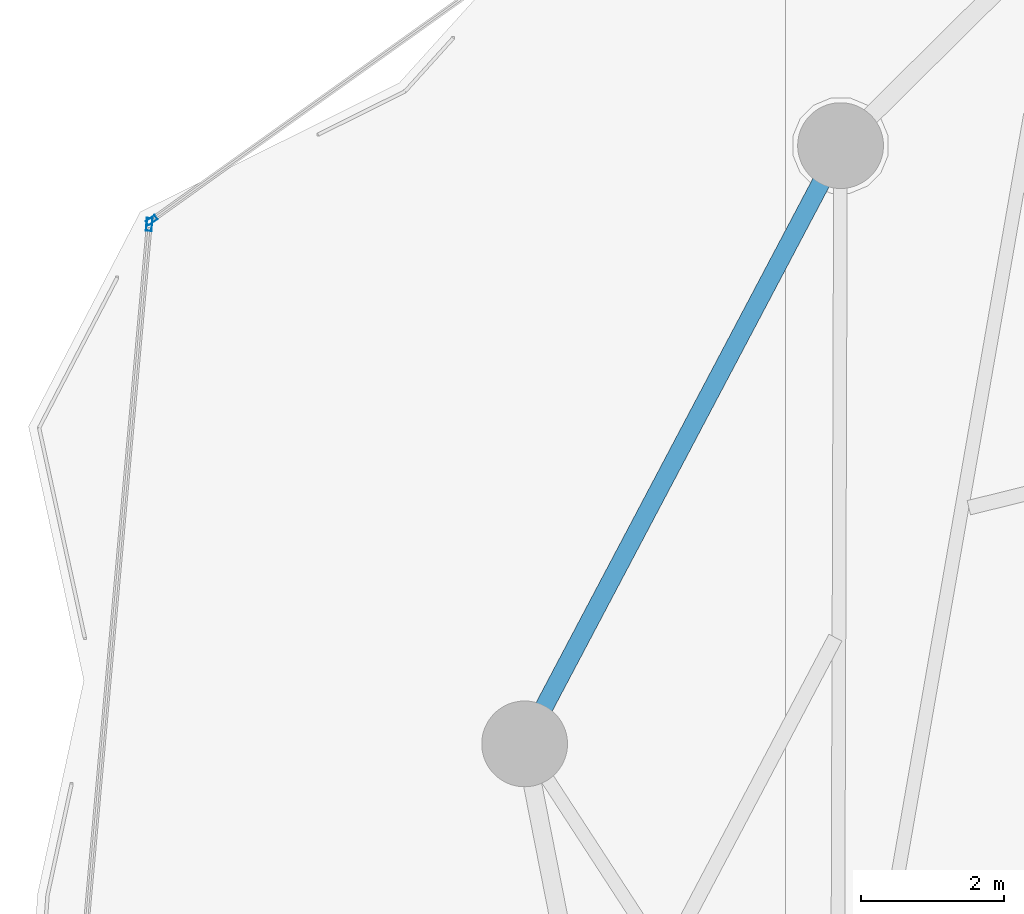
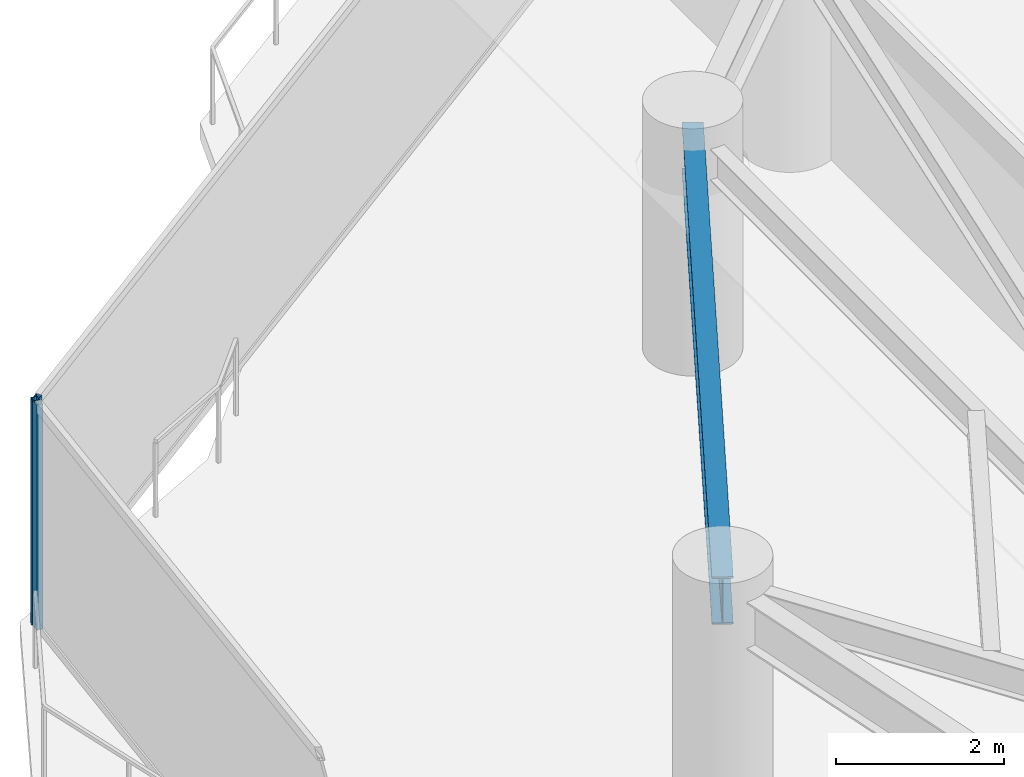
# One storey, part 17 of 33: 2 members, 1 beam, 2 elements without a shape of their own.
"""IFC4 building model written with IfcOpenShell, lengths in metres."""

import ifcopenshell
import ifcopenshell.guid

model = None  # the IFC model being written
_history = None  # IfcOwnerHistory: only IFC2X3 demands one
_inside = {}  # id of a spatial element -> (the spatial element, [elements in it])
_under = {}  # id of a project, library or spatial element -> (it, [spatial elements below it])
_declared = {}  # id of a project -> (the project, [libraries it declares])
_typed = {}  # id of a type object -> (the type object, [elements of that type])
_made_of = {}  # id of a material, layer set ... -> (it, [elements and type objects made of it])


def new_model(schema):
    """Start an empty IFC model of exactly this schema.

    Asked for "IFC4X3", IfcOpenShell would pick the latest addendum, in which some entities
    have other attributes; the version numbers below select the first issue.
    IFC2X3 requires an IfcOwnerHistory on every rooted entity: one is made here for all.
    """
    global model, _history
    if schema == "IFC4X3":
        model = ifcopenshell.file(schema_version=(4, 3, 0, 0))
    else:
        model = ifcopenshell.file(schema=schema)
    _inside.clear()
    _under.clear()
    _declared.clear()
    _typed.clear()
    _made_of.clear()
    _history = None
    if model.schema == "IFC2X3":
        org = make("IfcOrganization", Name="unknown")
        user = make(
            "IfcPersonAndOrganization",
            ThePerson=make("IfcPerson", FamilyName="unknown"),
            TheOrganization=org,
        )
        app = make(
            "IfcApplication",
            ApplicationDeveloper=org,
            Version="unknown",
            ApplicationFullName="unknown",
            ApplicationIdentifier="unknown",
        )
        _history = make(
            "IfcOwnerHistory",
            OwningUser=user,
            OwningApplication=app,
            ChangeAction="ADDED",
            CreationDate=0,
        )
    return model


def make(cls, **values):
    """One entity of the class cls with the attributes given. An attribute that is None is left unset."""
    return model.create_entity(
        cls, **{name: value for name, value in values.items() if value is not None}
    )


def rooted(cls, **values):
    """An entity with a GlobalId (a new one), such as an element, a storey or a relation."""
    return make(cls, GlobalId=ifcopenshell.guid.new(), OwnerHistory=_history, **values)


def si_unit(unit_type, name, prefix=None):
    """IfcSIUnit, for example si_unit("LENGTHUNIT", "METRE", prefix="MILLI")."""
    return make("IfcSIUnit", UnitType=unit_type, Prefix=prefix, Name=name)


def assignment(units):
    """IfcUnitAssignment: the units of a project."""
    return None if units is None else make("IfcUnitAssignment", Units=units)


def point(xyz):
    """IfcCartesianPoint."""
    return None if xyz is None else make("IfcCartesianPoint", Coordinates=xyz)


def direction(xyz):
    """IfcDirection."""
    return None if xyz is None else make("IfcDirection", DirectionRatios=xyz)


def frame(location, z_axis=None, x_axis=None):
    """IfcAxis2Placement3D, a coordinate frame: its origin and axes. An axis left out is left unset."""
    return make(
        "IfcAxis2Placement3D",
        Location=point(location),
        Axis=direction(z_axis),
        RefDirection=direction(x_axis),
    )


def frame_2d(location, x_axis=None):
    """IfcAxis2Placement2D, a coordinate frame in the plane: its origin and x axis."""
    return make(
        "IfcAxis2Placement2D", Location=point(location), RefDirection=direction(x_axis)
    )


def origin():
    """The frame at (0, 0, 0) with its axes left unset."""
    return frame((0.0, 0.0, 0.0))


def origin_2d():
    """The frame at (0, 0) in the plane with its x axis left unset."""
    return frame_2d((0.0, 0.0))


def place(relative_to, where):
    """IfcLocalPlacement: puts the frame where relative to a parent placement (None: the world)."""
    return make(
        "IfcLocalPlacement", PlacementRelTo=relative_to, RelativePlacement=where
    )


def context(
    kind, dimensions, precision=None, world=None, true_north=None, identifier=None
):
    """IfcGeometricRepresentationContext, for example the 3D "Model" context."""
    return make(
        "IfcGeometricRepresentationContext",
        ContextIdentifier=identifier,
        ContextType=kind,
        CoordinateSpaceDimension=dimensions,
        Precision=precision,
        WorldCoordinateSystem=world,
        TrueNorth=true_north,
    )


def subcontext(parent, identifier, kind, view, scale=None):
    """IfcGeometricRepresentationSubContext, for example "Body" below "Model"."""
    return make(
        "IfcGeometricRepresentationSubContext",
        ContextIdentifier=identifier,
        ContextType=kind,
        ParentContext=parent,
        TargetScale=scale,
        TargetView=view,
    )


def project(units=None, contexts=None):
    """IfcProject with its units and contexts."""
    return rooted(
        "IfcProject",
        Name="project",
        RepresentationContexts=contexts,
        UnitsInContext=assignment(units),
    )


def spatial(cls, under=None, at=None, **own):
    """A site, building, storey or space (cls), placed at a placement, below another one or the project."""
    s = rooted(cls, ObjectPlacement=at, **own)
    if under is not None:
        _under.setdefault(under.id(), (under, []))[1].append(s)
    return s


def profile(cls, at=None, kind="AREA", **sizes):
    """A parametric profile (cls). Its sizes go by their IFC names, for example OverallWidth=200.0."""
    return make(cls, ProfileType=kind, Position=at, **sizes)


def hollow_rectangle(**sizes):
    """IfcRectangleHollowProfileDef."""
    return profile("IfcRectangleHollowProfileDef", **sizes)


def i_section(**sizes):
    """IfcIShapeProfileDef."""
    return profile("IfcIShapeProfileDef", **sizes)


def extrude(swept, where, along, depth):
    """IfcExtrudedAreaSolid: the profile swept, set in the frame where, extruded along a direction by depth."""
    return make(
        "IfcExtrudedAreaSolid",
        SweptArea=swept,
        Position=where,
        ExtrudedDirection=direction(along),
        Depth=depth,
    )


def shape(context_of_items, identifier, shape_type, items):
    """IfcShapeRepresentation: the items that make up one representation, for example the "Body"."""
    return make(
        "IfcShapeRepresentation",
        ContextOfItems=context_of_items,
        RepresentationIdentifier=identifier,
        RepresentationType=shape_type,
        Items=items,
    )


def material(Name=None, Category=None):
    """IfcMaterial."""
    return make("IfcMaterial", Name=Name, Category=Category)


def layer(
    of_material, thickness, ventilated=None, Name=None, Category=None, Priority=None
):
    """IfcMaterialLayer: one layer of a wall or slab, of a material (None: an air gap)."""
    return make(
        "IfcMaterialLayer",
        Material=of_material,
        LayerThickness=thickness,
        IsVentilated=ventilated,
        Name=Name,
        Category=Category,
        Priority=Priority,
    )


def layer_set(layers, Name=None):
    """IfcMaterialLayerSet."""
    return make("IfcMaterialLayerSet", MaterialLayers=layers, LayerSetName=Name)


def material_profile(
    of_material, cross_section, Name=None, Category=None, Priority=None
):
    """IfcMaterialProfile: a cross section and its material."""
    return make(
        "IfcMaterialProfile",
        Name=Name,
        Material=of_material,
        Profile=cross_section,
        Priority=Priority,
        Category=Category,
    )


def profile_set(profiles, Name=None, composite=None):
    """IfcMaterialProfileSet."""
    return make(
        "IfcMaterialProfileSet",
        Name=Name,
        MaterialProfiles=profiles,
        CompositeProfile=composite,
    )


def made_of(thing, what):
    """Note that an element or type object is made of a material, layer set ...; save() writes the relation."""
    if what is not None:
        _made_of.setdefault(what.id(), (what, []))[1].append(thing)
    return thing


def type_object(cls, material=None, **own):
    """A type object (cls), such as IfcWallType, which elements share."""
    return made_of(rooted(cls, **own), material)


def element(
    cls,
    number,
    at=None,
    inside=None,
    cuts=None,
    type_object=None,
    material=None,
    context=None,
    identifier="Body",
    shape_type=None,
    held_by="IfcProductDefinitionShape",
    body=None,
    shapes=None,
    **own,
):
    """One element of the class cls, such as IfcWall. Its Tag is "e" and its number.

    at: its placement. inside: the storey or other place that contains it. cuts: it is an
    opening in that element (IfcRelVoidsElement). A single representation is given by context,
    identifier, shape_type and body (its items); several are given by shapes. held_by: the class
    of the entity that holds the representations. save() writes the other relations.
    """
    e = rooted(cls, Tag="e%d" % number, ObjectPlacement=at, **own)
    if body is not None:
        shapes = [shape(context, identifier, shape_type, body)]
    if shapes is not None:
        e.Representation = make(held_by, Representations=shapes)
    if inside is not None:
        _inside.setdefault(inside.id(), (inside, []))[1].append(e)
    if cuts is not None:
        rooted(
            "IfcRelVoidsElement", RelatingBuildingElement=cuts, RelatedOpeningElement=e
        )
    if type_object is not None:
        _typed.setdefault(type_object.id(), (type_object, []))[1].append(e)
    return made_of(e, material)


def aggregate(whole, parts):
    """IfcRelAggregates: a whole, such as a stair, and the parts it consists of."""
    return rooted("IfcRelAggregates", RelatingObject=whole, RelatedObjects=parts)


def save(model, path):
    """Write the relations noted so far, then the file.

    IfcRelAggregates (storeys below a building ...), IfcRelContainedInSpatialStructure (elements
    in a storey), IfcRelDefinesByType, IfcRelAssociatesMaterial and IfcRelDeclares: one each for
    every whole, place, type object, material and project.
    """
    for whole, parts in _under.values():
        aggregate(whole, parts)
    for where, things in _inside.values():
        rooted(
            "IfcRelContainedInSpatialStructure",
            RelatedElements=things,
            RelatingStructure=where,
        )
    for kind, things in _typed.values():
        rooted("IfcRelDefinesByType", RelatedObjects=things, RelatingType=kind)
    for what, things in _made_of.values():
        rooted("IfcRelAssociatesMaterial", RelatedObjects=things, RelatingMaterial=what)
    for by, libraries in _declared.values():
        rooted("IfcRelDeclares", RelatingContext=by, RelatedDefinitions=libraries)
    model.write(path)


model = new_model("IFC4")

# Units and contexts
model_context = context("Model", 3, precision=1e-05, world=origin(), true_north=direction((0.0, 1.0)))
body_context = subcontext(model_context, "Body", "Model", "MODEL_VIEW")
ifc_project = project(units=[si_unit("LENGTHUNIT", "METRE"), si_unit("AREAUNIT", "SQUARE_METRE"), si_unit("VOLUMEUNIT", "CUBIC_METRE"), si_unit("PLANEANGLEUNIT", "RADIAN"), si_unit("MASSUNIT", "GRAM", prefix="KILO")], contexts=[model_context])

# Site, building, storey
site_placement = place(None, origin())
site = spatial("IfcSite", under=ifc_project, at=site_placement, CompositionType="ELEMENT")
building_placement = place(site_placement, origin())
building = spatial("IfcBuilding", under=site, at=building_placement, Name="Kazevale Care Tower and Concert Hall", CompositionType="ELEMENT")
storey_placement = place(building_placement, frame((0.0, 0.0, 178.199951171875)))
storey = spatial("IfcBuildingStorey", under=building, at=storey_placement, Name="L47", CompositionType="ELEMENT", Elevation=178.199951171875)

# Curtain wall, member
ifc_material_1 = material(Name="Aluminium 6063-T6 and Low-E Glass", Category="aluminium")
ifc_layer_1 = layer(ifc_material_1, 0.179931640625)
ifc_layer_set_1 = layer_set([ifc_layer_1], Name="Aluminium 6063-T6 and Low-E Glass")
curtain_wall_type_1 = type_object("IfcCurtainWallType", Name="Convex Recessed Sunroom Curtain Wall CW-3", PredefinedType="NOTDEFINED", material=ifc_layer_set_1)
curtain_wall_1_placement = place(storey_placement, origin())
curtain_wall_1 = element("IfcCurtainWall", 1, at=curtain_wall_1_placement, inside=storey, type_object=curtain_wall_type_1, Name="cw:L47:f14", PredefinedType="NOTDEFINED")
ifc_material_2 = material(Name="Aluminium 6063-T6", Category="aluminium")
ifc_material_profile_1 = material_profile(ifc_material_2, hollow_rectangle(XDim=0.074951171875, YDim=0.14990234375, WallThickness=0.00390625, at=origin_2d()), Name="ALU75x150x4")
ifc_profile_set_1 = profile_set([ifc_material_profile_1], Name="Aluminium 6063-T6")
member_type_1 = type_object("IfcMemberType", Name="CW-3 Mullion ALU75x150x4", PredefinedType="MULLION", material=ifc_profile_set_1)
member_1_placement = place(storey_placement, frame((12.41259765625, 50.44775390625, 0.0), z_axis=(0.0, 0.0, 1.0), x_axis=(-0.58132396176, 0.813672201494, 0.0)))
member_1 = element("IfcMember", 2, at=member_1_placement, type_object=member_type_1, Name="CW-3 mullion 1", PredefinedType="MULLION", context=body_context, shape_type="SweptSolid", body=[
    extrude(hollow_rectangle(XDim=0.074951171875, YDim=0.14990234375, WallThickness=0.00390625, at=origin_2d()), origin(), (0.0, 0.0, 1.0), 3.280029296875),
])
aggregate(curtain_wall_1, [member_1])

ifc_layer_2 = layer(ifc_material_1, 0.179931640625)
ifc_layer_set_2 = layer_set([ifc_layer_2], Name="Aluminium 6063-T6 and Low-E Glass")
curtain_wall_type_2 = type_object("IfcCurtainWallType", Name="Waist & Upper Residential Curtain Wall CW-4", PredefinedType="NOTDEFINED", material=ifc_layer_set_2)
curtain_wall_2_placement = place(storey_placement, origin())
curtain_wall_2 = element("IfcCurtainWall", 3, at=curtain_wall_2_placement, inside=storey, type_object=curtain_wall_type_2, Name="cw:L47:f13", PredefinedType="NOTDEFINED")
ifc_material_profile_2 = material_profile(ifc_material_2, hollow_rectangle(XDim=0.080078125, YDim=0.179931640625, WallThickness=0.0048828125, at=origin_2d()), Name="ALU80x180x5")
ifc_profile_set_2 = profile_set([ifc_material_profile_2], Name="Aluminium 6063-T6")
member_type_2 = type_object("IfcMemberType", Name="CW-4 Mullion ALU80x180x5", PredefinedType="MULLION", material=ifc_profile_set_2)
member_2_placement = place(storey_placement, frame((12.37841796875, 50.38623046875, 0.0), z_axis=(0.0, 0.0, 1.0), x_axis=(-0.995969703525, 0.089690298589, 0.0)))
member_2 = element("IfcMember", 4, at=member_2_placement, type_object=member_type_2, Name="CW-4 mullion 2", PredefinedType="MULLION", context=body_context, shape_type="SweptSolid", body=[
    extrude(hollow_rectangle(XDim=0.080078125, YDim=0.179931640625, WallThickness=0.0048828125, at=origin_2d()), origin(), (0.0, 0.0, 1.0), 3.280029296875),
])
aggregate(curtain_wall_2, [member_2])

# Beam
ifc_material_3 = material(Name="Steel ASTM A572 Gr 50", Category="steel")
ifc_material_profile_3 = material_profile(ifc_material_3, i_section(OverallWidth=0.256103515625, OverallDepth=0.693115234375, WebThickness=0.014404296875, FlangeThickness=0.023681640625, at=origin_2d()), Name="W690x170")
ifc_profile_set_3 = profile_set([ifc_material_profile_3], Name="Steel ASTM A572 Gr 50")
beam_type = type_object("IfcBeamType", Name="Waist Ring Beam W690x170", PredefinedType="BEAM", material=ifc_profile_set_3)
beam_placement = place(storey_placement, frame((22.050048828125, 51.489990234375, 2.93359375), z_axis=(-0.466984438127, -0.884265533959, 0.0), x_axis=(0.884265533959, -0.466984438127, 0.0)))
element("IfcBeam", 5, at=beam_placement, inside=storey, type_object=beam_type, Name="beam:L47:ring:08", PredefinedType="BEAM", context=body_context, shape_type="SweptSolid", body=[
    extrude(i_section(OverallWidth=0.256103515625, OverallDepth=0.693115234375, WebThickness=0.014404296875, FlangeThickness=0.023681640625, at=origin_2d()), origin(), (0.0, 0.0, 1.0), 9.46533203125),
])

save(model, "model.ifc")
